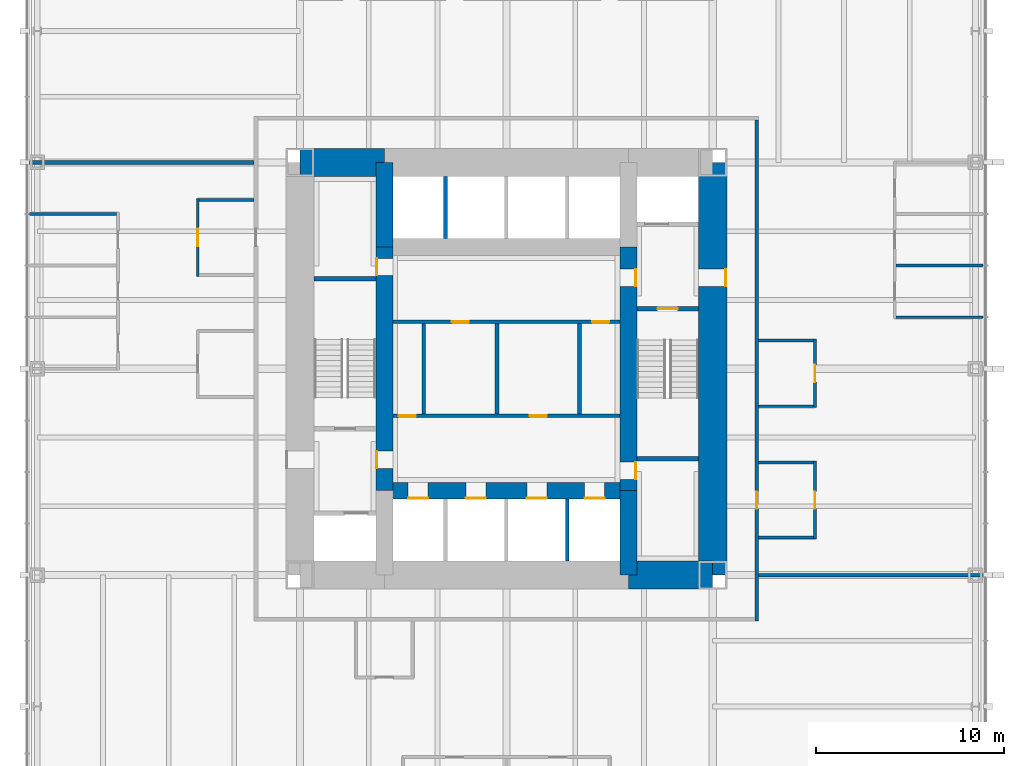
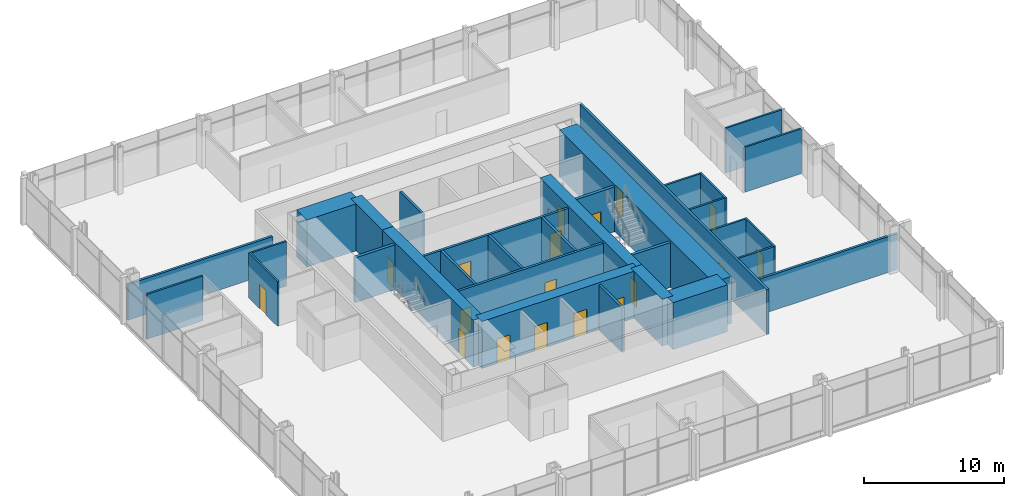
# One storey, part 10 of 12: 32 walls, 18 doors, 18 openings.
"""IFC4 building model written with IfcOpenShell, lengths in metres."""

from ifc_helpers import new_model, si_unit, direction, frame, frame_2d, origin, place, context, subcontext, project, spatial, rectangle, extrude, material, layer, layer_set, type_object, element, fill, save


model = new_model("IFC4")

# Units and contexts
model_context = context("Model", 3, precision=1e-05, world=origin(), true_north=direction((0.0, 1.0)))
body_context = subcontext(model_context, "Body", "Model", "MODEL_VIEW")
ifc_project = project(units=[si_unit("LENGTHUNIT", "METRE"), si_unit("AREAUNIT", "SQUARE_METRE"), si_unit("VOLUMEUNIT", "CUBIC_METRE"), si_unit("PLANEANGLEUNIT", "RADIAN"), si_unit("MASSUNIT", "GRAM", prefix="KILO")], contexts=[model_context])

# Site, building, storey
site_placement = place(None, origin())
site = spatial("IfcSite", under=ifc_project, at=site_placement, CompositionType="ELEMENT")
building_placement = place(site_placement, origin())
building = spatial("IfcBuilding", under=site, at=building_placement, Name="Trevanion Tower", CompositionType="ELEMENT")
storey_placement = place(building_placement, frame((0.0, 0.0, 57.0)))
storey = spatial("IfcBuildingStorey", under=building, at=storey_placement, Name="L13", CompositionType="ELEMENT", Elevation=57.0)

# Wall, opening, door
ifc_material_1 = material(Name="Concrete 10,000 psi", Category="concrete")
ifc_layer_1 = layer(ifc_material_1, 1.5)
ifc_layer_set_1 = layer_set([ifc_layer_1], Name="CW1 core wall 1500")
wall_type_1 = type_object("IfcWallType", Name="CW1 core wall 1500", PredefinedType="SHEAR", material=ifc_layer_set_1)
wall_1_placement = place(storey_placement, frame((11.0, -11.0, 0.0), z_axis=(0.0, 0.0, 1.0), x_axis=(0.0, 1.0, 0.0)))
wall_1 = element("IfcWall", 1, at=wall_1_placement, inside=storey, type_object=wall_type_1, Name="CW1 CE L13", PredefinedType="SHEAR", context=body_context, shape_type="SweptSolid", body=[
    extrude(rectangle(XDim=22.0, YDim=1.5, at=frame_2d((11.0, 0.0))), origin(), (0.0, 0.0, 1.0), 4.10009765625),
])
opening_1_placement = place(wall_1_placement, frame((15.392578125, 0.0, 0.0)))
opening_1 = element("IfcOpeningElement", 2, at=opening_1_placement, cuts=wall_1, Name="Opening 13-001", PredefinedType="OPENING", context=body_context, shape_type="SweptSolid", body=[
    extrude(rectangle(XDim=0.9150390625, YDim=2.134033203125, at=frame_2d((0.45751953125, 1.06689453125))), frame((0.0, 0.760009765625, 0.0), z_axis=(0.0, -1.0, 0.0), x_axis=(1.0, 0.0, 0.0)), (0.0, 0.0, 1.0), 1.52001953125),
])
ifc_material_2 = material(Name="Hollow metal, fire rated", Category="steel")
door_type_1 = type_object("IfcDoorType", Name="D3 fire lift lobby door", OperationType="SINGLE_SWING_RIGHT", PredefinedType="DOOR", material=ifc_material_2)
door_1_placement = place(opening_1_placement, origin())
door_1 = element("IfcDoor", 3, at=door_1_placement, inside=storey, type_object=door_type_1, Name="Door 13-001", OperationType="SINGLE_SWING_RIGHT", OverallHeight=2.134033203125, OverallWidth=0.9150390625, PredefinedType="DOOR", context=body_context, shape_type="SweptSolid", body=[
    extrude(rectangle(XDim=0.9150390625, YDim=2.134033203125, at=frame_2d((0.45751953125, 1.06689453125))), frame((0.0, -0.6748046875, 0.0), z_axis=(0.0, -1.0, 0.0), x_axis=(1.0, 0.0, 0.0)), (0.0, 0.0, 1.0), 0.050048828125),
])
fill(opening_1, door_1)

# Walls
for number, where, z_axis, x_axis, name in (
    (4, (-6.5, 11.0, 0.0), (0.0, 0.0, 1.0), (-1.0, 0.0, 0.0), "CW1 CN3 L13"),
    (5, (6.5, -11.0, 0.0), (0.0, 0.0, 1.0), (1.0, 0.0, 0.0), "CW1 CS3 L13"),
):
    element("IfcWall", number, at=place(storey_placement, frame(where, z_axis=z_axis, x_axis=x_axis)), inside=storey, type_object=wall_type_1, Name=name, PredefinedType="SHEAR", context=body_context, shape_type="SweptSolid", body=[
        extrude(rectangle(XDim=4.5, YDim=1.5, at=frame_2d((2.25, 0.0))), origin(), (0.0, 0.0, 1.0), 4.10009765625),
    ])
ifc_material_3 = material(Name="Concrete 10,000 psi", Category="concrete")
ifc_layer_2 = layer(ifc_material_3, 0.89990234375)
ifc_layer_set_2 = layer_set([ifc_layer_2], Name="CW2 core wall 900")
wall_type_2 = type_object("IfcWallType", Name="CW2 core wall 900", PredefinedType="SHEAR", material=ifc_layer_set_2)
wall_2_placement = place(storey_placement, frame((6.5, -11.0, 0.0), z_axis=(0.0, 0.0, 1.0), x_axis=(0.0, 1.0, 0.0)))
element("IfcWall", 6, at=wall_2_placement, inside=storey, type_object=wall_type_2, Name="CW2 RE1 L13", PredefinedType="SHEAR", context=body_context, shape_type="SweptSolid", body=[
    extrude(rectangle(XDim=4.5, YDim=0.89990234375, at=frame_2d((2.25, 0.0))), origin(), (0.0, 0.0, 1.0), 4.10009765625),
])

# Wall, openings, doors
wall_3_placement = place(storey_placement, frame((6.5, -6.5, 0.0), z_axis=(0.0, 0.0, 1.0), x_axis=(0.0, 1.0, 0.0)))
wall_3 = element("IfcWall", 7, at=wall_3_placement, inside=storey, type_object=wall_type_2, Name="CW2 RE2 L13", PredefinedType="SHEAR", context=body_context, shape_type="SweptSolid", body=[
    extrude(rectangle(XDim=13.0, YDim=0.89990234375, at=frame_2d((6.5, 0.0))), origin(), (0.0, 0.0, 1.0), 4.10009765625),
])
opening_2_placement = place(wall_3_placement, frame((10.892578125, 0.0, 0.0)))
opening_2 = element("IfcOpeningElement", 8, at=opening_2_placement, cuts=wall_3, Name="Opening 13-003", PredefinedType="OPENING", context=body_context, shape_type="SweptSolid", body=[
    extrude(rectangle(XDim=0.9150390625, YDim=2.134033203125, at=frame_2d((0.45751953125, 1.06689453125))), frame((0.0, 0.4599609375, 0.0), z_axis=(0.0, -1.0, 0.0), x_axis=(1.0, 0.0, 0.0)), (0.0, 0.0, 1.0), 0.919921875),
])
opening_3_placement = place(wall_3_placement, frame((0.610107421875, 0.0, 0.0)))
opening_3 = element("IfcOpeningElement", 9, at=opening_3_placement, cuts=wall_3, Name="Opening 13-009", PredefinedType="OPENING", context=body_context, shape_type="SweptSolid", body=[
    extrude(rectangle(XDim=0.9150390625, YDim=2.134033203125, at=frame_2d((0.45751953125, 1.06689453125))), frame((0.0, 0.4599609375, 0.0), z_axis=(0.0, -1.0, 0.0), x_axis=(1.0, 0.0, 0.0)), (0.0, 0.0, 1.0), 0.919921875),
])
door_2_placement = place(opening_2_placement, origin())
door_2 = element("IfcDoor", 10, at=door_2_placement, inside=storey, type_object=door_type_1, Name="Door 13-003", OperationType="SINGLE_SWING_RIGHT", OverallHeight=2.134033203125, OverallWidth=0.9150390625, PredefinedType="DOOR", context=body_context, shape_type="SweptSolid", body=[
    extrude(rectangle(XDim=0.9150390625, YDim=2.134033203125, at=frame_2d((0.45751953125, 1.06689453125))), frame((0.0, -0.375, 0.0), z_axis=(0.0, -1.0, 0.0), x_axis=(1.0, 0.0, 0.0)), (0.0, 0.0, 1.0), 0.050048828125),
])
fill(opening_2, door_2)
ifc_material_4 = material(Name="Hollow metal, fire rated", Category="steel")
door_type_2 = type_object("IfcDoorType", Name="D5 service room door", OperationType="SINGLE_SWING_RIGHT", PredefinedType="DOOR", material=ifc_material_4)
door_3_placement = place(opening_3_placement, origin())
door_3 = element("IfcDoor", 11, at=door_3_placement, inside=storey, type_object=door_type_2, Name="Door 13-009", OperationType="SINGLE_SWING_RIGHT", OverallHeight=2.134033203125, OverallWidth=0.9150390625, PredefinedType="DOOR", context=body_context, shape_type="SweptSolid", body=[
    extrude(rectangle(XDim=0.9150390625, YDim=2.134033203125, at=frame_2d((0.45751953125, 1.06689453125))), frame((0.0, -0.375, 0.0), z_axis=(0.0, -1.0, 0.0), x_axis=(1.0, 0.0, 0.0)), (0.0, 0.0, 1.0), 0.050048828125),
])
fill(opening_3, door_3)

# Wall
wall_4_placement = place(storey_placement, frame((-6.5, 11.0, 0.0), z_axis=(0.0, 0.0, 1.0), x_axis=(0.0, -1.0, 0.0)))
element("IfcWall", 12, at=wall_4_placement, inside=storey, type_object=wall_type_2, Name="CW2 RW1 L13", PredefinedType="SHEAR", context=body_context, shape_type="SweptSolid", body=[
    extrude(rectangle(XDim=4.5, YDim=0.89990234375, at=frame_2d((2.25, 0.0))), origin(), (0.0, 0.0, 1.0), 4.10009765625),
])

# Wall, openings, doors
wall_5_placement = place(storey_placement, frame((-6.5, 6.5, 0.0), z_axis=(0.0, 0.0, 1.0), x_axis=(0.0, -1.0, 0.0)))
wall_5 = element("IfcWall", 13, at=wall_5_placement, inside=storey, type_object=wall_type_2, Name="CW2 RW2 L13", PredefinedType="SHEAR", context=body_context, shape_type="SweptSolid", body=[
    extrude(rectangle(XDim=13.0, YDim=0.89990234375, at=frame_2d((6.5, 0.0))), origin(), (0.0, 0.0, 1.0), 4.10009765625),
])
opening_4_placement = place(wall_5_placement, frame((10.892578125, 0.0, 0.0)))
opening_4 = element("IfcOpeningElement", 14, at=opening_4_placement, cuts=wall_5, Name="Opening 13-004", PredefinedType="OPENING", context=body_context, shape_type="SweptSolid", body=[
    extrude(rectangle(XDim=0.9150390625, YDim=2.134033203125, at=frame_2d((0.45751953125, 1.06689453125))), frame((0.0, 0.4599609375, 0.0), z_axis=(0.0, -1.0, 0.0), x_axis=(1.0, 0.0, 0.0)), (0.0, 0.0, 1.0), 0.919921875),
])
opening_5_placement = place(wall_5_placement, frame((0.610107421875, 0.0, 0.0)))
opening_5 = element("IfcOpeningElement", 15, at=opening_5_placement, cuts=wall_5, Name="Opening 13-010", PredefinedType="OPENING", context=body_context, shape_type="SweptSolid", body=[
    extrude(rectangle(XDim=0.9150390625, YDim=2.134033203125, at=frame_2d((0.45751953125, 1.06689453125))), frame((0.0, 0.4599609375, 0.0), z_axis=(0.0, -1.0, 0.0), x_axis=(1.0, 0.0, 0.0)), (0.0, 0.0, 1.0), 0.919921875),
])
door_4_placement = place(opening_4_placement, origin())
door_4 = element("IfcDoor", 16, at=door_4_placement, inside=storey, type_object=door_type_1, Name="Door 13-004", OperationType="SINGLE_SWING_RIGHT", OverallHeight=2.134033203125, OverallWidth=0.9150390625, PredefinedType="DOOR", context=body_context, shape_type="SweptSolid", body=[
    extrude(rectangle(XDim=0.9150390625, YDim=2.134033203125, at=frame_2d((0.45751953125, 1.06689453125))), frame((0.0, -0.375, 0.0), z_axis=(0.0, -1.0, 0.0), x_axis=(1.0, 0.0, 0.0)), (0.0, 0.0, 1.0), 0.050048828125),
])
fill(opening_4, door_4)
door_5_placement = place(opening_5_placement, origin())
door_5 = element("IfcDoor", 17, at=door_5_placement, inside=storey, type_object=door_type_2, Name="Door 13-010", OperationType="SINGLE_SWING_RIGHT", OverallHeight=2.134033203125, OverallWidth=0.9150390625, PredefinedType="DOOR", context=body_context, shape_type="SweptSolid", body=[
    extrude(rectangle(XDim=0.9150390625, YDim=2.134033203125, at=frame_2d((0.45751953125, 1.06689453125))), frame((0.0, -0.375, 0.0), z_axis=(0.0, -1.0, 0.0), x_axis=(1.0, 0.0, 0.0)), (0.0, 0.0, 1.0), 0.050048828125),
])
fill(opening_5, door_5)

wall_6_placement = place(storey_placement, frame((-6.5, -6.5, 0.0), z_axis=(0.0, 0.0, 1.0), x_axis=(1.0, 0.0, 0.0)))
wall_6 = element("IfcWall", 18, at=wall_6_placement, inside=storey, type_object=wall_type_2, Name="CW2 RS L13", PredefinedType="SHEAR", context=body_context, shape_type="SweptSolid", body=[
    extrude(rectangle(XDim=13.0, YDim=0.89990234375, at=frame_2d((6.5, 0.0))), origin(), (0.0, 0.0, 1.0), 4.10009765625),
])
opening_6_placement = place(wall_6_placement, frame((1.2666015625, 0.0, 0.0)))
opening_6 = element("IfcOpeningElement", 19, at=opening_6_placement, cuts=wall_6, Name="Opening 13-011", PredefinedType="OPENING", context=body_context, shape_type="SweptSolid", body=[
    extrude(rectangle(XDim=1.06689453125, YDim=2.134033203125, at=frame_2d((0.533447265625, 1.06689453125))), frame((0.0, 0.4599609375, 0.0), z_axis=(0.0, -1.0, 0.0), x_axis=(1.0, 0.0, 0.0)), (0.0, 0.0, 1.0), 0.919921875),
])
opening_7_placement = place(wall_6_placement, frame((4.341552734375, 0.0, 0.0)))
opening_7 = element("IfcOpeningElement", 20, at=opening_7_placement, cuts=wall_6, Name="Opening 13-012", PredefinedType="OPENING", context=body_context, shape_type="SweptSolid", body=[
    extrude(rectangle(XDim=1.06689453125, YDim=2.134033203125, at=frame_2d((0.533447265625, 1.06689453125))), frame((0.0, 0.4599609375, 0.0), z_axis=(0.0, -1.0, 0.0), x_axis=(1.0, 0.0, 0.0)), (0.0, 0.0, 1.0), 0.919921875),
])
opening_8_placement = place(wall_6_placement, frame((7.591552734375, 0.0, 0.0)))
opening_8 = element("IfcOpeningElement", 21, at=opening_8_placement, cuts=wall_6, Name="Opening 13-013", PredefinedType="OPENING", context=body_context, shape_type="SweptSolid", body=[
    extrude(rectangle(XDim=1.06689453125, YDim=2.134033203125, at=frame_2d((0.533447265625, 1.06689453125))), frame((0.0, 0.4599609375, 0.0), z_axis=(0.0, -1.0, 0.0), x_axis=(1.0, 0.0, 0.0)), (0.0, 0.0, 1.0), 0.919921875),
])
opening_9_placement = place(wall_6_placement, frame((10.66650390625, 0.0, 0.0)))
opening_9 = element("IfcOpeningElement", 22, at=opening_9_placement, cuts=wall_6, Name="Opening 13-014", PredefinedType="OPENING", context=body_context, shape_type="SweptSolid", body=[
    extrude(rectangle(XDim=1.06689453125, YDim=2.134033203125, at=frame_2d((0.533447265625, 1.06689453125))), frame((0.0, 0.4599609375, 0.0), z_axis=(0.0, -1.0, 0.0), x_axis=(1.0, 0.0, 0.0)), (0.0, 0.0, 1.0), 0.919921875),
])
ifc_material_5 = material(Name="Stainless steel, fire rated", Category="steel")
door_type_3 = type_object("IfcDoorType", Name="LD1 lift landing door", OperationType="SLIDING_TO_LEFT", PredefinedType="DOOR", material=ifc_material_5)
door_6_placement = place(opening_6_placement, origin())
door_6 = element("IfcDoor", 23, at=door_6_placement, inside=storey, type_object=door_type_3, Name="Door 13-011", OperationType="SLIDING_TO_LEFT", OverallHeight=2.134033203125, OverallWidth=1.06689453125, PredefinedType="DOOR", context=body_context, shape_type="SweptSolid", body=[
    extrude(rectangle(XDim=1.06689453125, YDim=2.134033203125, at=frame_2d((0.533447265625, 1.06689453125))), frame((0.0, -0.375, 0.0), z_axis=(0.0, -1.0, 0.0), x_axis=(1.0, 0.0, 0.0)), (0.0, 0.0, 1.0), 0.050048828125),
])
fill(opening_6, door_6)
door_7_placement = place(opening_7_placement, origin())
door_7 = element("IfcDoor", 24, at=door_7_placement, inside=storey, type_object=door_type_3, Name="Door 13-012", OperationType="SLIDING_TO_LEFT", OverallHeight=2.134033203125, OverallWidth=1.06689453125, PredefinedType="DOOR", context=body_context, shape_type="SweptSolid", body=[
    extrude(rectangle(XDim=1.06689453125, YDim=2.134033203125, at=frame_2d((0.533447265625, 1.06689453125))), frame((0.0, -0.375, 0.0), z_axis=(0.0, -1.0, 0.0), x_axis=(1.0, 0.0, 0.0)), (0.0, 0.0, 1.0), 0.050048828125),
])
fill(opening_7, door_7)
door_8_placement = place(opening_8_placement, origin())
door_8 = element("IfcDoor", 25, at=door_8_placement, inside=storey, type_object=door_type_3, Name="Door 13-013", OperationType="SLIDING_TO_LEFT", OverallHeight=2.134033203125, OverallWidth=1.06689453125, PredefinedType="DOOR", context=body_context, shape_type="SweptSolid", body=[
    extrude(rectangle(XDim=1.06689453125, YDim=2.134033203125, at=frame_2d((0.533447265625, 1.06689453125))), frame((0.0, -0.375, 0.0), z_axis=(0.0, -1.0, 0.0), x_axis=(1.0, 0.0, 0.0)), (0.0, 0.0, 1.0), 0.050048828125),
])
fill(opening_8, door_8)
door_9_placement = place(opening_9_placement, origin())
door_9 = element("IfcDoor", 26, at=door_9_placement, inside=storey, type_object=door_type_3, Name="Door 13-014", OperationType="SLIDING_TO_LEFT", OverallHeight=2.134033203125, OverallWidth=1.06689453125, PredefinedType="DOOR", context=body_context, shape_type="SweptSolid", body=[
    extrude(rectangle(XDim=1.06689453125, YDim=2.134033203125, at=frame_2d((0.533447265625, 1.06689453125))), frame((0.0, -0.375, 0.0), z_axis=(0.0, -1.0, 0.0), x_axis=(1.0, 0.0, 0.0)), (0.0, 0.0, 1.0), 0.050048828125),
])
fill(opening_9, door_9)

# Walls
ifc_material_6 = material(Name="Gypsum board on steel studs", Category="steel")
ifc_layer_3 = layer(ifc_material_6, 0.14990234375)
ifc_layer_set_3 = layer_set([ifc_layer_3], Name="PT1 partition 150")
wall_type_3 = type_object("IfcWallType", Name="PT1 partition 150", PredefinedType="PARTITIONING", material=ifc_layer_set_3)
for number, where, z_axis, x_axis, name in (
    (27, (20.77490234375, 2.75, 0.0), (0.0, 0.0, 1.0), (1.0, 0.0, 0.0), "PT1 L13 FC0S0"),
    (28, (20.77490234375, 5.5, 0.0), (0.0, 0.0, 1.0), (1.0, 0.0, 0.0), "PT1 L13 FC0S1"),
    (29, (-20.77490234375, 8.25, 0.0), (0.0, 0.0, 1.0), (-1.0, 0.0, 0.0), "PT1 L13 FC2S0"),
):
    element("IfcWall", number, at=place(storey_placement, frame(where, z_axis=z_axis, x_axis=x_axis)), inside=storey, type_object=wall_type_3, Name=name, PredefinedType="PARTITIONING", context=body_context, shape_type="SweptSolid", body=[
        extrude(rectangle(XDim=4.64013671875, YDim=0.14990234375, at=frame_2d((2.320068359375, 0.0))), origin(), (0.0, 0.0, 1.0), 3.909912109375),
    ])

# Wall, opening, door
wall_7_placement = place(storey_placement, frame((16.449951171875, -9.074951171875, 0.0), z_axis=(0.0, 0.0, 1.0), x_axis=(0.0, 1.0, 0.0)))
wall_7 = element("IfcWall", 30, at=wall_7_placement, inside=storey, type_object=wall_type_3, Name="PT1 L13 IN00F", PredefinedType="PARTITIONING", context=body_context, shape_type="SweptSolid", body=[
    extrude(rectangle(XDim=4.14990234375, YDim=0.14990234375, at=frame_2d((2.074951171875, 0.0))), origin(), (0.0, 0.0, 1.0), 3.909912109375),
])
opening_10_placement = place(wall_7_placement, frame((1.617431640625, 0.0, 0.0)))
opening_10 = element("IfcOpeningElement", 31, at=opening_10_placement, cuts=wall_7, Name="Opening 13-030", PredefinedType="OPENING", context=body_context, shape_type="SweptSolid", body=[
    extrude(rectangle(XDim=0.9150390625, YDim=2.134033203125, at=frame_2d((0.45751953125, 1.06689453125))), frame((0.0, 0.0849609375, 0.0), z_axis=(0.0, -1.0, 0.0), x_axis=(1.0, 0.0, 0.0)), (0.0, 0.0, 1.0), 0.169921875),
])
ifc_material_7 = material(Name="Timber veneer, solid core", Category="wood")
door_type_4 = type_object("IfcDoorType", Name="D1 office and meeting room door", OperationType="SINGLE_SWING_LEFT", PredefinedType="DOOR", material=ifc_material_7)
door_10_placement = place(opening_10_placement, origin())
door_10 = element("IfcDoor", 32, at=door_10_placement, inside=storey, type_object=door_type_4, Name="Door 13-030", OperationType="SINGLE_SWING_LEFT", OverallHeight=2.134033203125, OverallWidth=0.9150390625, PredefinedType="DOOR", context=body_context, shape_type="SweptSolid", body=[
    extrude(rectangle(XDim=0.9150390625, YDim=2.134033203125, at=frame_2d((0.45751953125, 1.06689453125))), frame((0.0, 0.02490234375, 0.0), z_axis=(0.0, -1.0, 0.0), x_axis=(1.0, 0.0, 0.0)), (0.0, 0.0, 1.0), 0.050048828125),
])
fill(opening_10, door_10)

# Walls
for number, where, z_axis, x_axis, name in (
    (33, (16.375, -9.0, 0.0), (0.0, 0.0, 1.0), (-1.0, 0.0, 0.0), "PT1 L13 IN00S0"),
    (34, (16.375, -5.0, 0.0), (0.0, 0.0, 1.0), (-1.0, 0.0, 0.0), "PT1 L13 IN00S1"),
):
    element("IfcWall", number, at=place(storey_placement, frame(where, z_axis=z_axis, x_axis=x_axis)), inside=storey, type_object=wall_type_3, Name=name, PredefinedType="PARTITIONING", context=body_context, shape_type="SweptSolid", body=[
        extrude(rectangle(XDim=2.925048828125, YDim=0.14990234375, at=frame_2d((1.46240234375, 0.0))), origin(), (0.0, 0.0, 1.0), 3.909912109375),
    ])

# Wall, opening, door
wall_8_placement = place(storey_placement, frame((16.449951171875, -2.074951171875, 0.0), z_axis=(0.0, 0.0, 1.0), x_axis=(0.0, 1.0, 0.0)))
wall_8 = element("IfcWall", 35, at=wall_8_placement, inside=storey, type_object=wall_type_3, Name="PT1 L13 IN01F", PredefinedType="PARTITIONING", context=body_context, shape_type="SweptSolid", body=[
    extrude(rectangle(XDim=3.64990234375, YDim=0.14990234375, at=frame_2d((1.824951171875, 0.0))), origin(), (0.0, 0.0, 1.0), 3.909912109375),
])
opening_11_placement = place(wall_8_placement, frame((1.367431640625, 0.0, 0.0)))
opening_11 = element("IfcOpeningElement", 36, at=opening_11_placement, cuts=wall_8, Name="Opening 13-032", PredefinedType="OPENING", context=body_context, shape_type="SweptSolid", body=[
    extrude(rectangle(XDim=0.9150390625, YDim=2.134033203125, at=frame_2d((0.45751953125, 1.06689453125))), frame((0.0, 0.0849609375, 0.0), z_axis=(0.0, -1.0, 0.0), x_axis=(1.0, 0.0, 0.0)), (0.0, 0.0, 1.0), 0.169921875),
])
door_11_placement = place(opening_11_placement, origin())
door_11 = element("IfcDoor", 37, at=door_11_placement, inside=storey, type_object=door_type_4, Name="Door 13-032", OperationType="SINGLE_SWING_LEFT", OverallHeight=2.134033203125, OverallWidth=0.9150390625, PredefinedType="DOOR", context=body_context, shape_type="SweptSolid", body=[
    extrude(rectangle(XDim=0.9150390625, YDim=2.134033203125, at=frame_2d((0.45751953125, 1.06689453125))), frame((0.0, 0.02490234375, 0.0), z_axis=(0.0, -1.0, 0.0), x_axis=(1.0, 0.0, 0.0)), (0.0, 0.0, 1.0), 0.050048828125),
])
fill(opening_11, door_11)

# Walls
for number, where, z_axis, x_axis, name in (
    (38, (16.375, -2.0, 0.0), (0.0, 0.0, 1.0), (-1.0, 0.0, 0.0), "PT1 L13 IN01S0"),
    (39, (16.375, 1.5, 0.0), (0.0, 0.0, 1.0), (-1.0, 0.0, 0.0), "PT1 L13 IN01S1"),
):
    element("IfcWall", number, at=place(storey_placement, frame(where, z_axis=z_axis, x_axis=x_axis)), inside=storey, type_object=wall_type_3, Name=name, PredefinedType="PARTITIONING", context=body_context, shape_type="SweptSolid", body=[
        extrude(rectangle(XDim=2.925048828125, YDim=0.14990234375, at=frame_2d((1.46240234375, 0.0))), origin(), (0.0, 0.0, 1.0), 3.909912109375),
    ])

# Wall, opening, door
wall_9_placement = place(storey_placement, frame((-16.449951171875, 9.074951171875, 0.0), z_axis=(0.0, 0.0, 1.0), x_axis=(0.0, -1.0, 0.0)))
wall_9 = element("IfcWall", 40, at=wall_9_placement, inside=storey, type_object=wall_type_3, Name="PT1 L13 IN20F", PredefinedType="PARTITIONING", context=body_context, shape_type="SweptSolid", body=[
    extrude(rectangle(XDim=4.14990234375, YDim=0.14990234375, at=frame_2d((2.074951171875, 0.0))), origin(), (0.0, 0.0, 1.0), 3.909912109375),
])
opening_12_placement = place(wall_9_placement, frame((1.617431640625, 0.0, 0.0)))
opening_12 = element("IfcOpeningElement", 41, at=opening_12_placement, cuts=wall_9, Name="Opening 13-033", PredefinedType="OPENING", context=body_context, shape_type="SweptSolid", body=[
    extrude(rectangle(XDim=0.9150390625, YDim=2.134033203125, at=frame_2d((0.45751953125, 1.06689453125))), frame((0.0, 0.0849609375, 0.0), z_axis=(0.0, -1.0, 0.0), x_axis=(1.0, 0.0, 0.0)), (0.0, 0.0, 1.0), 0.169921875),
])
door_12_placement = place(opening_12_placement, origin())
door_12 = element("IfcDoor", 42, at=door_12_placement, inside=storey, type_object=door_type_4, Name="Door 13-033", OperationType="SINGLE_SWING_LEFT", OverallHeight=2.134033203125, OverallWidth=0.9150390625, PredefinedType="DOOR", context=body_context, shape_type="SweptSolid", body=[
    extrude(rectangle(XDim=0.9150390625, YDim=2.134033203125, at=frame_2d((0.45751953125, 1.06689453125))), frame((0.0, 0.02490234375, 0.0), z_axis=(0.0, -1.0, 0.0), x_axis=(1.0, 0.0, 0.0)), (0.0, 0.0, 1.0), 0.050048828125),
])
fill(opening_12, door_12)

# Walls
wall_10_placement = place(storey_placement, frame((-16.375, 9.0, 0.0), z_axis=(0.0, 0.0, 1.0), x_axis=(1.0, 0.0, 0.0)))
element("IfcWall", 43, at=wall_10_placement, inside=storey, type_object=wall_type_3, Name="PT1 L13 IN20S0", PredefinedType="PARTITIONING", context=body_context, shape_type="SweptSolid", body=[
    extrude(rectangle(XDim=2.925048828125, YDim=0.14990234375, at=frame_2d((1.46240234375, 0.0))), origin(), (0.0, 0.0, 1.0), 3.909912109375),
])
ifc_material_8 = material(Name="Concrete masonry, grouted", Category="masonry")
ifc_layer_4 = layer(ifc_material_8, 0.199951171875)
ifc_layer_set_4 = layer_set([ifc_layer_4], Name="PT2 partition 200")
wall_type_4 = type_object("IfcWallType", Name="PT2 partition 200", PredefinedType="PARTITIONING", material=ifc_layer_set_4)
for number, where, z_axis, x_axis, name in (
    (44, (-4.39990234375, -2.39990234375, 0.0), (0.0, 0.0, 1.0), (0.0, 1.0, 0.0), "PT2 L13 TP1"),
    (45, (-0.5, -2.39990234375, 0.0), (0.0, 0.0, 1.0), (0.0, 1.0, 0.0), "PT2 L13 TP2"),
    (46, (3.89990234375, -2.39990234375, 0.0), (0.0, 0.0, 1.0), (0.0, 1.0, 0.0), "PT2 L13 TP3"),
):
    element("IfcWall", number, at=place(storey_placement, frame(where, z_axis=z_axis, x_axis=x_axis)), inside=storey, type_object=wall_type_4, Name=name, PredefinedType="PARTITIONING", context=body_context, shape_type="SweptSolid", body=[
        extrude(rectangle(XDim=4.7998046875, YDim=0.199951171875, at=frame_2d((2.39990234375, 0.0))), origin(), (0.0, 0.0, 1.0), 3.909912109375),
    ])

# Wall, openings, doors
ifc_material_9 = material(Name="Concrete masonry, grouted", Category="masonry")
ifc_layer_5 = layer(ifc_material_9, 0.199951171875)
ifc_layer_set_5 = layer_set([ifc_layer_5], Name="PT2 partition 200 1 HR")
wall_type_5 = type_object("IfcWallType", Name="PT2 partition 200 1 HR", PredefinedType="PARTITIONING", material=ifc_layer_set_5)
wall_11_placement = place(storey_placement, frame((-6.050048828125, 2.5, 0.0), z_axis=(0.0, 0.0, 1.0), x_axis=(1.0, 0.0, 0.0)))
wall_11 = element("IfcWall", 47, at=wall_11_placement, inside=storey, type_object=wall_type_5, Name="PT2 L13 CP1", PredefinedType="PARTITIONING", context=body_context, shape_type="SweptSolid", body=[
    extrude(rectangle(XDim=12.10009765625, YDim=0.199951171875, at=frame_2d((6.050048828125, 0.0))), origin(), (0.0, 0.0, 1.0), 3.909912109375),
])
opening_13_placement = place(wall_11_placement, frame((3.142578125, 0.0, 0.0)))
opening_13 = element("IfcOpeningElement", 48, at=opening_13_placement, cuts=wall_11, Name="Opening 13-016", PredefinedType="OPENING", context=body_context, shape_type="SweptSolid", body=[
    extrude(rectangle(XDim=0.9150390625, YDim=2.134033203125, at=frame_2d((0.45751953125, 1.06689453125))), frame((0.0, 0.10986328125, 0.0), z_axis=(0.0, -1.0, 0.0), x_axis=(1.0, 0.0, 0.0)), (0.0, 0.0, 1.0), 0.219970703125),
])
opening_14_placement = place(wall_11_placement, frame((10.617431640625, 0.0, 0.0)))
opening_14 = element("IfcOpeningElement", 49, at=opening_14_placement, cuts=wall_11, Name="Opening 13-018", PredefinedType="OPENING", context=body_context, shape_type="SweptSolid", body=[
    extrude(rectangle(XDim=0.9150390625, YDim=2.134033203125, at=frame_2d((0.45751953125, 1.06689453125))), frame((0.0, 0.10986328125, 0.0), z_axis=(0.0, -1.0, 0.0), x_axis=(1.0, 0.0, 0.0)), (0.0, 0.0, 1.0), 0.219970703125),
])
ifc_material_10 = material(Name="Plastic laminate on fire-rated core", Category="wood")
door_type_5 = type_object("IfcDoorType", Name="D12 toilet door in a one hour wall", OperationType="SINGLE_SWING_LEFT", PredefinedType="DOOR", material=ifc_material_10)
door_13_placement = place(opening_13_placement, origin())
door_13 = element("IfcDoor", 50, at=door_13_placement, inside=storey, type_object=door_type_5, Name="Door 13-016", OperationType="SINGLE_SWING_LEFT", OverallHeight=2.134033203125, OverallWidth=0.9150390625, PredefinedType="DOOR", context=body_context, shape_type="SweptSolid", body=[
    extrude(rectangle(XDim=0.9150390625, YDim=2.134033203125, at=frame_2d((0.45751953125, 1.06689453125))), frame((0.0, 0.02490234375, 0.0), z_axis=(0.0, -1.0, 0.0), x_axis=(1.0, 0.0, 0.0)), (0.0, 0.0, 1.0), 0.050048828125),
])
fill(opening_13, door_13)
door_14_placement = place(opening_14_placement, origin())
door_14 = element("IfcDoor", 51, at=door_14_placement, inside=storey, type_object=door_type_5, Name="Door 13-018", OperationType="SINGLE_SWING_LEFT", OverallHeight=2.134033203125, OverallWidth=0.9150390625, PredefinedType="DOOR", context=body_context, shape_type="SweptSolid", body=[
    extrude(rectangle(XDim=0.9150390625, YDim=2.134033203125, at=frame_2d((0.45751953125, 1.06689453125))), frame((0.0, 0.02490234375, 0.0), z_axis=(0.0, -1.0, 0.0), x_axis=(1.0, 0.0, 0.0)), (0.0, 0.0, 1.0), 0.050048828125),
])
fill(opening_14, door_14)

wall_12_placement = place(storey_placement, frame((6.050048828125, -2.5, 0.0), z_axis=(0.0, 0.0, 1.0), x_axis=(-1.0, 0.0, 0.0)))
wall_12 = element("IfcWall", 52, at=wall_12_placement, inside=storey, type_object=wall_type_5, Name="PT2 L13 CP2", PredefinedType="PARTITIONING", context=body_context, shape_type="SweptSolid", body=[
    extrude(rectangle(XDim=12.10009765625, YDim=0.199951171875, at=frame_2d((6.050048828125, 0.0))), origin(), (0.0, 0.0, 1.0), 3.909912109375),
])
opening_15_placement = place(wall_12_placement, frame((10.867431640625, 0.0, 0.0)))
opening_15 = element("IfcOpeningElement", 53, at=opening_15_placement, cuts=wall_12, Name="Opening 13-015", PredefinedType="OPENING", context=body_context, shape_type="SweptSolid", body=[
    extrude(rectangle(XDim=0.9150390625, YDim=2.134033203125, at=frame_2d((0.45751953125, 1.06689453125))), frame((0.0, 0.10986328125, 0.0), z_axis=(0.0, -1.0, 0.0), x_axis=(1.0, 0.0, 0.0)), (0.0, 0.0, 1.0), 0.219970703125),
])
opening_16_placement = place(wall_12_placement, frame((3.892578125, 0.0, 0.0)))
opening_16 = element("IfcOpeningElement", 54, at=opening_16_placement, cuts=wall_12, Name="Opening 13-017", PredefinedType="OPENING", context=body_context, shape_type="SweptSolid", body=[
    extrude(rectangle(XDim=0.9150390625, YDim=2.134033203125, at=frame_2d((0.45751953125, 1.06689453125))), frame((0.0, 0.10986328125, 0.0), z_axis=(0.0, -1.0, 0.0), x_axis=(1.0, 0.0, 0.0)), (0.0, 0.0, 1.0), 0.219970703125),
])
door_15_placement = place(opening_16_placement, origin())
door_15 = element("IfcDoor", 55, at=door_15_placement, inside=storey, type_object=door_type_5, Name="Door 13-017", OperationType="SINGLE_SWING_LEFT", OverallHeight=2.134033203125, OverallWidth=0.9150390625, PredefinedType="DOOR", context=body_context, shape_type="SweptSolid", body=[
    extrude(rectangle(XDim=0.9150390625, YDim=2.134033203125, at=frame_2d((0.45751953125, 1.06689453125))), frame((0.0, 0.02490234375, 0.0), z_axis=(0.0, -1.0, 0.0), x_axis=(1.0, 0.0, 0.0)), (0.0, 0.0, 1.0), 0.050048828125),
])
fill(opening_16, door_15)
door_16_placement = place(opening_15_placement, origin())
door_16 = element("IfcDoor", 56, at=door_16_placement, inside=storey, type_object=door_type_2, Name="Door 13-015", OperationType="SINGLE_SWING_RIGHT", OverallHeight=2.134033203125, OverallWidth=0.9150390625, PredefinedType="DOOR", context=body_context, shape_type="SweptSolid", body=[
    extrude(rectangle(XDim=0.9150390625, YDim=2.134033203125, at=frame_2d((0.45751953125, 1.06689453125))), frame((0.0, 0.02490234375, 0.0), z_axis=(0.0, -1.0, 0.0), x_axis=(1.0, 0.0, 0.0)), (0.0, 0.0, 1.0), 0.050048828125),
])
fill(opening_15, door_16)

# Wall, opening, door
wall_13_placement = place(storey_placement, frame((13.35009765625, -13.449951171875, 0.0), z_axis=(0.0, 0.0, 1.0), x_axis=(0.0, 1.0, 0.0)))
wall_13 = element("IfcWall", 57, at=wall_13_placement, inside=storey, type_object=wall_type_5, Name="PT2 L13 OC0", PredefinedType="PARTITIONING", context=body_context, shape_type="SweptSolid", body=[
    extrude(rectangle(XDim=26.699951171875, YDim=0.199951171875, at=frame_2d((13.35009765625, 0.0))), origin(), (0.0, 0.0, 1.0), 3.909912109375),
])
opening_17_placement = place(wall_13_placement, frame((5.992431640625, 0.0, 0.0)))
opening_17 = element("IfcOpeningElement", 58, at=opening_17_placement, cuts=wall_13, Name="Opening 13-031", PredefinedType="OPENING", context=body_context, shape_type="SweptSolid", body=[
    extrude(rectangle(XDim=0.9150390625, YDim=2.134033203125, at=frame_2d((0.45751953125, 1.06689453125))), frame((0.0, 0.10986328125, 0.0), z_axis=(0.0, -1.0, 0.0), x_axis=(1.0, 0.0, 0.0)), (0.0, 0.0, 1.0), 0.219970703125),
])
ifc_material_11 = material(Name="Timber veneer, fire rated", Category="wood")
door_type_6 = type_object("IfcDoorType", Name="D10 office door in a one hour wall", OperationType="SINGLE_SWING_LEFT", PredefinedType="DOOR", material=ifc_material_11)
door_17_placement = place(opening_17_placement, origin())
door_17 = element("IfcDoor", 59, at=door_17_placement, inside=storey, type_object=door_type_6, Name="Door 13-031", OperationType="SINGLE_SWING_LEFT", OverallHeight=2.134033203125, OverallWidth=0.9150390625, PredefinedType="DOOR", context=body_context, shape_type="SweptSolid", body=[
    extrude(rectangle(XDim=0.9150390625, YDim=2.134033203125, at=frame_2d((0.45751953125, 1.06689453125))), frame((0.0, 0.02490234375, 0.0), z_axis=(0.0, -1.0, 0.0), x_axis=(1.0, 0.0, 0.0)), (0.0, 0.0, 1.0), 0.050048828125),
])
fill(opening_17, door_17)

# Walls
for number, where, z_axis, x_axis, name in (
    (60, (-13.449951171875, 11.0, 0.0), (0.0, 0.0, 1.0), (-1.0, 0.0, 0.0), "PT2 L13 DM1"),
    (61, (13.449951171875, -11.0, 0.0), (0.0, 0.0, 1.0), (1.0, 0.0, 0.0), "PT2 L13 DM3"),
):
    element("IfcWall", number, at=place(storey_placement, frame(where, z_axis=z_axis, x_axis=x_axis)), inside=storey, type_object=wall_type_5, Name=name, PredefinedType="PARTITIONING", context=body_context, shape_type="SweptSolid", body=[
        extrude(rectangle(XDim=11.965087890625, YDim=0.199951171875, at=frame_2d((5.982421875, 0.0))), origin(), (0.0, 0.0, 1.0), 3.130126953125),
    ])
ifc_material_12 = material(Name="Concrete masonry, grouted", Category="masonry")
ifc_layer_6 = layer(ifc_material_12, 0.199951171875)
ifc_layer_set_6 = layer_set([ifc_layer_6], Name="PT2 partition 200 2 HR")
wall_type_6 = type_object("IfcWallType", Name="PT2 partition 200 2 HR", PredefinedType="PARTITIONING", material=ifc_layer_set_6)
for number, where, z_axis, x_axis, name in (
    (62, (-3.25, 6.949951171875, 0.0), (0.0, 0.0, 1.0), (0.0, 1.0, 0.0), "PT2 L13 NS0"),
    (63, (3.25, -10.25, 0.0), (0.0, 0.0, 1.0), (0.0, 1.0, 0.0), "PT2 L13 SS2"),
):
    element("IfcWall", number, at=place(storey_placement, frame(where, z_axis=z_axis, x_axis=x_axis)), inside=storey, type_object=wall_type_6, Name=name, PredefinedType="PARTITIONING", context=body_context, shape_type="SweptSolid", body=[
        extrude(rectangle(XDim=3.300048828125, YDim=0.199951171875, at=frame_2d((1.64990234375, 0.0))), origin(), (0.0, 0.0, 1.0), 3.909912109375),
    ])
ifc_material_13 = material(Name="Reinforced masonry, fully grouted", Category="masonry")
ifc_layer_7 = layer(ifc_material_13, 0.25)
ifc_layer_set_7 = layer_set([ifc_layer_7], Name="SW1 stair shaft wall 250")
wall_type_7 = type_object("IfcWallType", Name="SW1 stair shaft wall 250", PredefinedType="SOLIDWALL", material=ifc_layer_set_7)
for number, where, z_axis, x_axis, name in (
    (64, (6.949951171875, -4.800048828125, 0.0), (0.0, 0.0, 1.0), (1.0, 0.0, 0.0), "SW1 L13 EP1"),
    (65, (-6.949951171875, 4.800048828125, 0.0), (0.0, 0.0, 1.0), (-1.0, 0.0, 0.0), "SW1 L13 WP1"),
):
    element("IfcWall", number, at=place(storey_placement, frame(where, z_axis=z_axis, x_axis=x_axis)), inside=storey, type_object=wall_type_7, Name=name, PredefinedType="SOLIDWALL", context=body_context, shape_type="SweptSolid", body=[
        extrude(rectangle(XDim=3.300048828125, YDim=0.25, at=frame_2d((1.64990234375, 0.0))), origin(), (0.0, 0.0, 1.0), 3.909912109375),
    ])

# Wall, opening, door
wall_14_placement = place(storey_placement, frame((6.949951171875, 3.199951171875, 0.0), z_axis=(0.0, 0.0, 1.0), x_axis=(1.0, 0.0, 0.0)))
wall_14 = element("IfcWall", 66, at=wall_14_placement, inside=storey, type_object=wall_type_7, Name="SW1 L13 EP2", PredefinedType="SOLIDWALL", context=body_context, shape_type="SweptSolid", body=[
    extrude(rectangle(XDim=3.300048828125, YDim=0.25, at=frame_2d((1.64990234375, 0.0))), origin(), (0.0, 0.0, 1.0), 3.909912109375),
])
opening_18_placement = place(wall_14_placement, frame((1.116455078125, 0.0, 0.0)))
opening_18 = element("IfcOpeningElement", 67, at=opening_18_placement, cuts=wall_14, Name="Opening 13-005", PredefinedType="OPENING", context=body_context, shape_type="SweptSolid", body=[
    extrude(rectangle(XDim=1.06689453125, YDim=2.134033203125, at=frame_2d((0.533447265625, 1.06689453125))), frame((0.0, 0.135009765625, 0.0), z_axis=(0.0, -1.0, 0.0), x_axis=(1.0, 0.0, 0.0)), (0.0, 0.0, 1.0), 0.27001953125),
])
ifc_material_14 = material(Name="Hollow metal, fire rated", Category="steel")
door_type_7 = type_object("IfcDoorType", Name="D2 exit stair door", OperationType="SINGLE_SWING_LEFT", PredefinedType="DOOR", material=ifc_material_14)
door_18_placement = place(opening_18_placement, origin())
door_18 = element("IfcDoor", 68, at=door_18_placement, inside=storey, type_object=door_type_7, Name="Door 13-005", OperationType="SINGLE_SWING_LEFT", OverallHeight=2.134033203125, OverallWidth=1.06689453125, PredefinedType="DOOR", context=body_context, shape_type="SweptSolid", body=[
    extrude(rectangle(XDim=1.06689453125, YDim=2.134033203125, at=frame_2d((0.533447265625, 1.06689453125))), frame((0.0, 0.02490234375, 0.0), z_axis=(0.0, -1.0, 0.0), x_axis=(1.0, 0.0, 0.0)), (0.0, 0.0, 1.0), 0.050048828125),
])
fill(opening_18, door_18)

save(model, "model.ifc")
